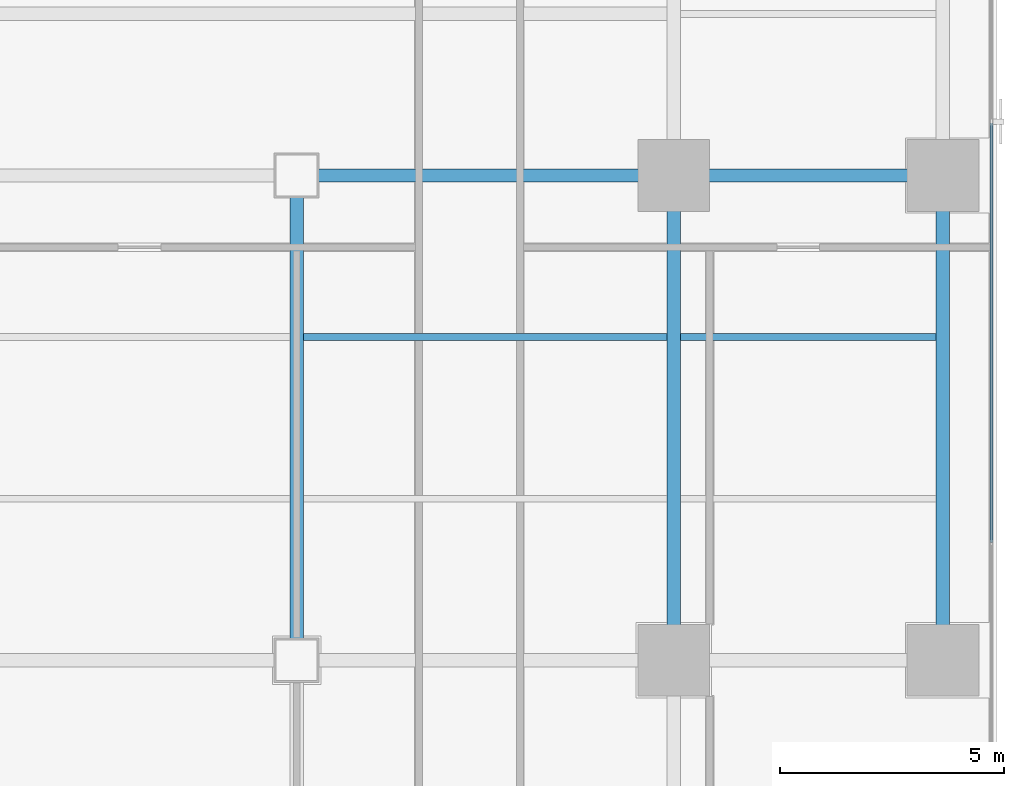
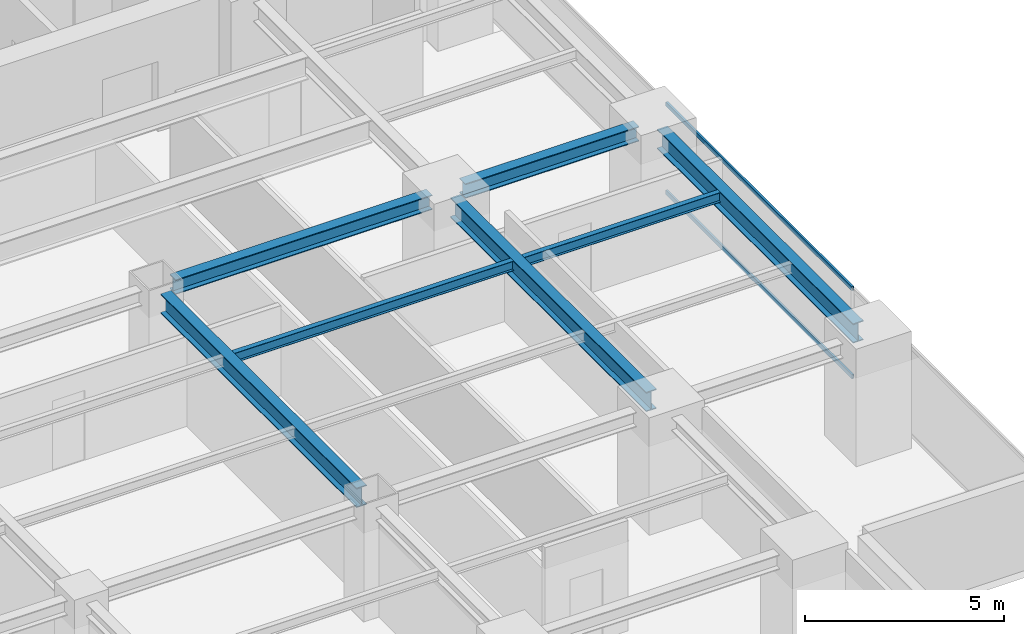
# One storey, part 12 of 28: 7 beams, 2 members, 1 element without a shape of its own.
"""IFC4 building model written with IfcOpenShell, lengths in metres."""

from ifc_helpers import new_model, si_unit, direction, frame, origin, origin_2d, place, context, subcontext, project, spatial, hollow_rectangle, i_section, extrude, source, transform, mapped, material, layer, layer_set, material_profile, profile_set, type_object, element, aggregate, save


model = new_model("IFC4")

# Units and contexts
model_context = context("Model", 3, precision=1e-05, world=origin(), true_north=direction((0.0, 1.0)))
body_context = subcontext(model_context, "Body", "Model", "MODEL_VIEW")
ifc_project = project(units=[si_unit("LENGTHUNIT", "METRE"), si_unit("AREAUNIT", "SQUARE_METRE"), si_unit("VOLUMEUNIT", "CUBIC_METRE"), si_unit("PLANEANGLEUNIT", "RADIAN"), si_unit("MASSUNIT", "GRAM", prefix="KILO")], contexts=[model_context])

# Site, building, storey
site_placement = place(None, origin())
site = spatial("IfcSite", under=ifc_project, at=site_placement, CompositionType="ELEMENT")
building_placement = place(site_placement, origin())
building = spatial("IfcBuilding", under=site, at=building_placement, Name="Sumidabori Civic Tower", CompositionType="ELEMENT")
storey_placement = place(building_placement, frame((0.0, 0.0, 149.60009765625)))
storey = spatial("IfcBuildingStorey", under=building, at=storey_placement, Name="L38", CompositionType="ELEMENT", Elevation=149.60009765625)

# Beams
ifc_material_1 = material(Name="Steel SN490", Category="steel")
ifc_material_profile_1 = material_profile(ifc_material_1, i_section(OverallWidth=0.300048828125, OverallDepth=0.60009765625, WebThickness=0.015380859375, FlangeThickness=0.030029296875, at=origin_2d()), Name="HE 600 B")
ifc_profile_set_1 = profile_set([ifc_material_profile_1], Name="Steel SN490")
beam_type_1 = type_object("IfcBeamType", Name="BM-GIRD-600", PredefinedType="BEAM", material=ifc_profile_set_1)
shared_shape_1 = source(origin(), body_context, "Body", "SweptSolid", [
    extrude(i_section(OverallWidth=0.300048828125, OverallDepth=0.60009765625, WebThickness=0.015380859375, FlangeThickness=0.030029296875, at=origin_2d()), origin(), (0.0, 0.0, 1.0), 9.840087890625),
])
for number, where, z_axis, x_axis, name in (
    (1, (8.39990234375, -10.320068359375, 3.079833984375), (0.0, 1.0, 0.0), (-1.0, 0.0, 0.0), "Primary Girder L38 GY-31"),
    (2, (16.800048828125, -10.320068359375, 3.079833984375), (0.0, 1.0, 0.0), (-1.0, 0.0, 0.0), "Primary Girder L38 GY-33"),
    (3, (22.800048828125, -10.320068359375, 3.079833984375), (0.0, 1.0, 0.0), (-1.0, 0.0, 0.0), "Primary Girder L38 GY-36"),
):
    element("IfcBeam", number, at=place(storey_placement, frame(where, z_axis=z_axis, x_axis=x_axis)), inside=storey, type_object=beam_type_1, Name=name, PredefinedType="BEAM", context=body_context, shape_type="MappedRepresentation", body=[
        mapped(shared_shape_1, transform((0.0, 0.0, 0.0), x_axis=(1.0, 0.0, 0.0), y_axis=(0.0, 1.0, 0.0), z_axis=(0.0, 0.0, 1.0), scale=1.0)),
    ])
ifc_material_profile_2 = material_profile(ifc_material_1, i_section(OverallWidth=0.14990234375, OverallDepth=0.300048828125, WebThickness=0.007080078125, FlangeThickness=0.0107421875, at=origin_2d()), Name="IPE 300")
ifc_profile_set_2 = profile_set([ifc_material_profile_2], Name="Steel SN490")
beam_type_2 = type_object("IfcBeamType", Name="BM-JST-300", PredefinedType="JOIST", material=ifc_profile_set_2)
shared_shape_2 = source(origin(), body_context, "Body", "SweptSolid", [
    extrude(i_section(OverallWidth=0.14990234375, OverallDepth=0.300048828125, WebThickness=0.007080078125, FlangeThickness=0.0107421875, at=origin_2d()), origin(), (0.0, 0.0, 1.0), 5.699951171875),
])
beam_1_placement = place(storey_placement, frame((16.949951171875, -3.60009765625, 3.22998046875), z_axis=(1.0, 0.0, 0.0), x_axis=(0.0, 1.0, 0.0)))
element("IfcBeam", 4, at=beam_1_placement, inside=storey, type_object=beam_type_2, Name="Outer Bay Floor Joist L38 JSTO-42", PredefinedType="JOIST", context=body_context, shape_type="MappedRepresentation", body=[
    mapped(shared_shape_2, transform((0.0, 0.0, 0.0), x_axis=(1.0, 0.0, 0.0), y_axis=(0.0, 1.0, 0.0), z_axis=(0.0, 0.0, 1.0), scale=1.0)),
])
shared_shape_3 = source(origin(), body_context, "Body", "SweptSolid", [
    extrude(i_section(OverallWidth=0.14990234375, OverallDepth=0.300048828125, WebThickness=0.007080078125, FlangeThickness=0.0107421875, at=origin_2d()), origin(), (0.0, 0.0, 1.0), 8.099853515625),
])
beam_2_placement = place(storey_placement, frame((8.550048828125, -3.60009765625, 3.22998046875), z_axis=(1.0, 0.0, 0.0), x_axis=(0.0, 1.0, 0.0)))
element("IfcBeam", 5, at=beam_2_placement, inside=storey, type_object=beam_type_2, Name="South Bay Floor Joist L38 JSTS-60", PredefinedType="JOIST", context=body_context, shape_type="MappedRepresentation", body=[
    mapped(shared_shape_3, transform((0.0, 0.0, 0.0), x_axis=(1.0, 0.0, 0.0), y_axis=(0.0, 1.0, 0.0), z_axis=(0.0, 0.0, 1.0), scale=1.0)),
])
ifc_material_profile_3 = material_profile(ifc_material_1, i_section(OverallWidth=0.300048828125, OverallDepth=0.449951171875, WebThickness=0.013916015625, FlangeThickness=0.02587890625, at=origin_2d()), Name="HE 450 B")
ifc_profile_set_3 = profile_set([ifc_material_profile_3], Name="Steel SN490")
beam_type_3 = type_object("IfcBeamType", Name="BM-GIRD-450", PredefinedType="BEAM", material=ifc_profile_set_3)
shared_shape_4 = source(origin(), body_context, "Body", "SweptSolid", [
    extrude(i_section(OverallWidth=0.300048828125, OverallDepth=0.449951171875, WebThickness=0.013916015625, FlangeThickness=0.02587890625, at=origin_2d()), origin(), (0.0, 0.0, 1.0), 7.440185546875),
])
beam_3_placement = place(storey_placement, frame((8.8798828125, 0.0, 3.15478515625), z_axis=(1.0, 0.0, 0.0), x_axis=(0.0, 1.0, 0.0)))
element("IfcBeam", 6, at=beam_3_placement, inside=storey, type_object=beam_type_3, Name="Primary Girder L38 GX-15", PredefinedType="BEAM", context=body_context, shape_type="MappedRepresentation", body=[
    mapped(shared_shape_4, transform((0.0, 0.0, 0.0), x_axis=(1.0, 0.0, 0.0), y_axis=(0.0, 1.0, 0.0), z_axis=(0.0, 0.0, 1.0), scale=1.0)),
])
shared_shape_5 = source(origin(), body_context, "Body", "SweptSolid", [
    extrude(i_section(OverallWidth=0.300048828125, OverallDepth=0.449951171875, WebThickness=0.013916015625, FlangeThickness=0.02587890625, at=origin_2d()), origin(), (0.0, 0.0, 1.0), 5.0400390625),
])
beam_4_placement = place(storey_placement, frame((17.280029296875, 0.0, 3.15478515625), z_axis=(1.0, 0.0, 0.0), x_axis=(0.0, 1.0, 0.0)))
element("IfcBeam", 7, at=beam_4_placement, inside=storey, type_object=beam_type_3, Name="Primary Girder L38 GX-16", PredefinedType="BEAM", context=body_context, shape_type="MappedRepresentation", body=[
    mapped(shared_shape_5, transform((0.0, 0.0, 0.0), x_axis=(1.0, 0.0, 0.0), y_axis=(0.0, 1.0, 0.0), z_axis=(0.0, 0.0, 1.0), scale=1.0)),
])

# Curtain wall, members
ifc_material_2 = material(Name="Anodised Bronze Aluminium AW-6063-T6", Category="aluminium")
ifc_layer = layer(ifc_material_2, 0.179931640625, Name="Anodised Bronze Aluminium AW-6063-T6")
ifc_layer_set = layer_set([ifc_layer], Name="Anodised Bronze Aluminium AW-6063-T6")
curtain_wall_type = type_object("IfcCurtainWallType", Name="CW-SYS-3", PredefinedType="NOTDEFINED", material=ifc_layer_set)
curtain_wall_placement = place(storey_placement, origin())
curtain_wall = element("IfcCurtainWall", 8, at=curtain_wall_placement, inside=storey, type_object=curtain_wall_type, Name="Curtain Wall CW:L38:R04", PredefinedType="NOTDEFINED")
ifc_material_profile_4 = material_profile(ifc_material_2, hollow_rectangle(XDim=0.06005859375, YDim=0.1298828125, WallThickness=0.0048828125, at=origin_2d()), Name="ALU TRANSOM 130x60")
ifc_profile_set_4 = profile_set([ifc_material_profile_4], Name="Anodised Bronze Aluminium AW-6063-T6")
member_type = type_object("IfcMemberType", Name="CW-TRN-130", PredefinedType="USERDEFINED", material=ifc_profile_set_4)
shared_shape_6 = source(origin(), body_context, "Body", "SweptSolid", [
    extrude(hollow_rectangle(XDim=0.06005859375, YDim=0.1298828125, WallThickness=0.0048828125, at=origin_2d()), origin(), (0.0, 0.0, 1.0), 9.344970703125),
])
member_1_placement = place(storey_placement, frame((23.8798828125, -8.177490234375, 0.02978515625), z_axis=(0.0, 1.0, 0.0), x_axis=(-1.0, 0.0, 0.0)))
member_1 = element("IfcMember", 9, at=member_1_placement, type_object=member_type, Name="CW-3 transom 2.1", ObjectType="TRANSOM", PredefinedType="USERDEFINED", context=body_context, shape_type="MappedRepresentation", body=[
    mapped(shared_shape_6, transform((0.0, 0.0, 0.0), x_axis=(1.0, 0.0, 0.0), y_axis=(0.0, 1.0, 0.0), z_axis=(0.0, 0.0, 1.0), scale=1.0)),
])
member_2_placement = place(storey_placement, frame((23.8798828125, -8.177490234375, 2.72998046875), z_axis=(0.0, 1.0, 0.0), x_axis=(-1.0, 0.0, 0.0)))
member_2 = element("IfcMember", 10, at=member_2_placement, type_object=member_type, Name="CW-3 transom 2.2", ObjectType="TRANSOM", PredefinedType="USERDEFINED", context=body_context, shape_type="MappedRepresentation", body=[
    mapped(shared_shape_6, transform((0.0, 0.0, 0.0), x_axis=(1.0, 0.0, 0.0), y_axis=(0.0, 1.0, 0.0), z_axis=(0.0, 0.0, 1.0), scale=1.0)),
])
aggregate(curtain_wall, [member_1, member_2])

save(model, "model.ifc")
